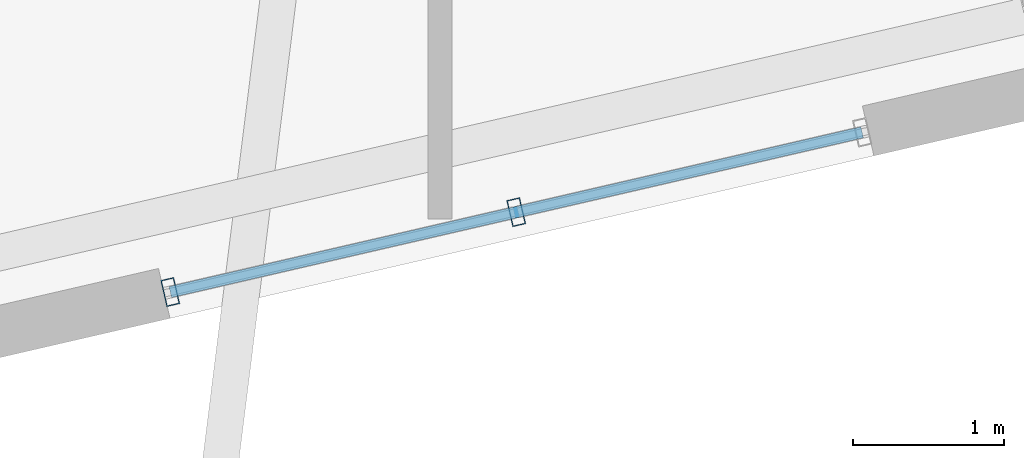
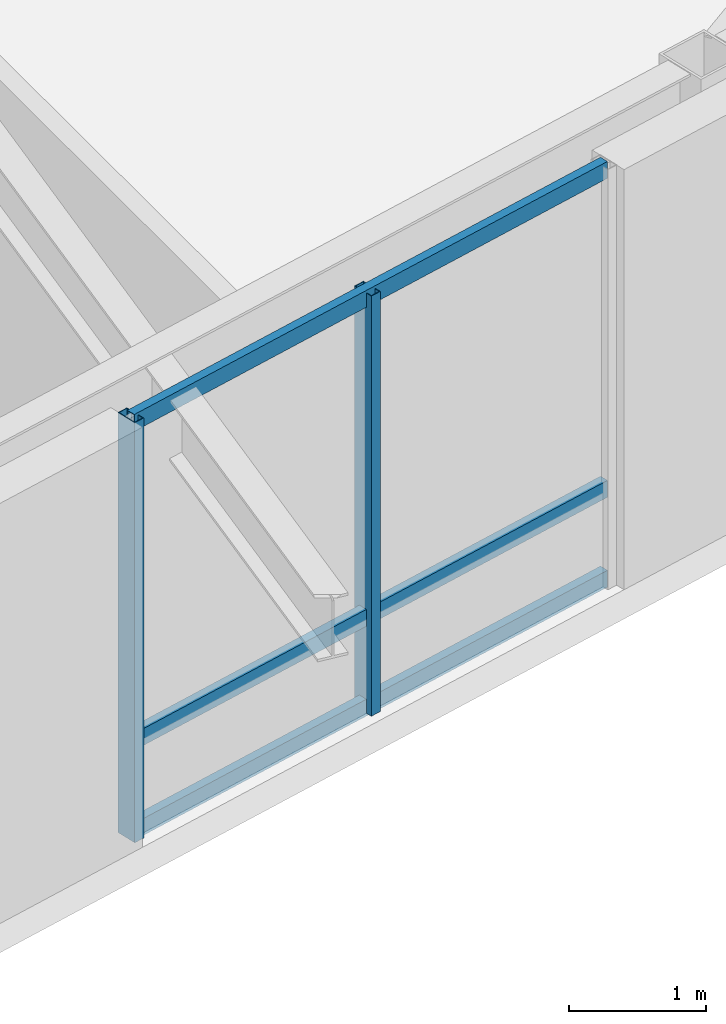
# One storey, part 6 of 21: 5 members, 1 element without a shape of its own.
"""IFC4 building model written with IfcOpenShell, lengths in metres."""

from ifc_helpers import new_model, si_unit, direction, frame, origin, origin_2d, place, context, subcontext, project, spatial, hollow_rectangle, extrude, material, layer, layer_set, material_profile, profile_set, type_object, element, aggregate, save


model = new_model("IFC4")

# Units and contexts
model_context = context("Model", 3, precision=1e-05, world=origin(), true_north=direction((0.0, 1.0)))
body_context = subcontext(model_context, "Body", "Model", "MODEL_VIEW")
ifc_project = project(units=[si_unit("LENGTHUNIT", "METRE"), si_unit("AREAUNIT", "SQUARE_METRE"), si_unit("VOLUMEUNIT", "CUBIC_METRE"), si_unit("PLANEANGLEUNIT", "RADIAN"), si_unit("MASSUNIT", "GRAM", prefix="KILO")], contexts=[model_context])

# Site, building, storey
site_placement = place(None, origin())
site = spatial("IfcSite", under=ifc_project, at=site_placement, CompositionType="ELEMENT")
building_placement = place(site_placement, origin())
building = spatial("IfcBuilding", under=site, at=building_placement, Name="Tavrogorsk Clinical Tower", CompositionType="ELEMENT")
storey_placement = place(building_placement, frame((0.0, 0.0, 285.0)))
storey = spatial("IfcBuildingStorey", under=building, at=storey_placement, Name="L66", CompositionType="ELEMENT", Elevation=285.0)

# Curtain wall, members
ifc_material_1 = material(Name="Anodised aluminium and triple IGU glazing", Category="aluminium")
ifc_layer = layer(ifc_material_1, 0.179931640625)
ifc_layer_set = layer_set([ifc_layer], Name="Anodised aluminium and triple IGU glazing")
curtain_wall_type = type_object("IfcCurtainWallType", Name="CW3_SouthSlot", PredefinedType="NOTDEFINED", material=ifc_layer_set)
curtain_wall_placement = place(storey_placement, origin())
curtain_wall = element("IfcCurtainWall", 1, at=curtain_wall_placement, inside=storey, type_object=curtain_wall_type, Name="L66 Curtain Wall CW-L66-S-SLOT-2", PredefinedType="NOTDEFINED")
ifc_material_2 = material(Name="Anodised aluminium alloy AW-6060", Category="aluminium")
ifc_material_profile_1 = material_profile(ifc_material_2, hollow_rectangle(XDim=0.090087890625, YDim=0.179931640625, WallThickness=0.00634765625, at=origin_2d()), Name="RHS-180x90x6.3")
ifc_profile_set_1 = profile_set([ifc_material_profile_1], Name="Anodised aluminium alloy AW-6060")
member_type_1 = type_object("IfcMemberType", Name="CwMullion_180x90", PredefinedType="MULLION", material=ifc_profile_set_1)
member_1_placement = place(storey_placement, frame((7.80810546875, -22.56591796875, 0.0), z_axis=(0.0, 0.0, 1.0), x_axis=(0.974370057377, 0.224951086434, 0.0)))
member_1 = element("IfcMember", 2, at=member_1_placement, type_object=member_type_1, Name="CW-L66-S-SLOT-2 Mullion 1", PredefinedType="MULLION", context=body_context, shape_type="SweptSolid", body=[
    extrude(hollow_rectangle(XDim=0.090087890625, YDim=0.179931640625, WallThickness=0.00634765625, at=origin_2d()), origin(), (0.0, 0.0, 1.0), 3.739990234375),
])
member_2_placement = place(storey_placement, frame((10.106689453125, -22.03515625, 0.0), z_axis=(0.0, 0.0, 1.0), x_axis=(0.974370057377, 0.224951086434, 0.0)))
member_2 = element("IfcMember", 3, at=member_2_placement, type_object=member_type_1, Name="CW-L66-S-SLOT-2 Mullion 2", PredefinedType="MULLION", context=body_context, shape_type="SweptSolid", body=[
    extrude(hollow_rectangle(XDim=0.090087890625, YDim=0.179931640625, WallThickness=0.00634765625, at=origin_2d()), origin(), (0.0, 0.0, 1.0), 3.739990234375),
])
ifc_material_3 = material(Name="Anodised aluminium alloy AW-6060", Category="aluminium")
ifc_material_profile_2 = material_profile(ifc_material_3, hollow_rectangle(XDim=0.074951171875, YDim=0.14990234375, WallThickness=0.0048828125, at=origin_2d()), Name="RHS-150x75x5")
ifc_profile_set_2 = profile_set([ifc_material_profile_2], Name="Anodised aluminium alloy AW-6060")
member_type_2 = type_object("IfcMemberType", Name="CwTransom_150x75", PredefinedType="USERDEFINED", material=ifc_profile_set_2)
member_3_placement = place(storey_placement, frame((7.80810546875, -22.56591796875, 0.050048828125), z_axis=(0.974372877948, 0.22493886885, 0.0), x_axis=(-0.22493886885, 0.974372877948, 0.0)))
member_3 = element("IfcMember", 4, at=member_3_placement, type_object=member_type_2, Name="CW-L66-S-SLOT-2 Transom 1", ObjectType="TRANSOM", PredefinedType="USERDEFINED", context=body_context, shape_type="SweptSolid", body=[
    extrude(hollow_rectangle(XDim=0.074951171875, YDim=0.14990234375, WallThickness=0.0048828125, at=origin_2d()), origin(), (0.0, 0.0, 1.0), 4.718017578125),
])
member_4_placement = place(storey_placement, frame((7.80810546875, -22.56591796875, 0.85009765625), z_axis=(0.974372877948, 0.22493886885, 0.0), x_axis=(-0.22493886885, 0.974372877948, 0.0)))
member_4 = element("IfcMember", 5, at=member_4_placement, type_object=member_type_2, Name="CW-L66-S-SLOT-2 Transom 2", ObjectType="TRANSOM", PredefinedType="USERDEFINED", context=body_context, shape_type="SweptSolid", body=[
    extrude(hollow_rectangle(XDim=0.074951171875, YDim=0.14990234375, WallThickness=0.0048828125, at=origin_2d()), origin(), (0.0, 0.0, 1.0), 4.718017578125),
])
member_5_placement = place(storey_placement, frame((7.80810546875, -22.56591796875, 3.68994140625), z_axis=(0.974372877948, 0.22493886885, 0.0), x_axis=(-0.22493886885, 0.974372877948, 0.0)))
member_5 = element("IfcMember", 6, at=member_5_placement, type_object=member_type_2, Name="CW-L66-S-SLOT-2 Transom 3", ObjectType="TRANSOM", PredefinedType="USERDEFINED", context=body_context, shape_type="SweptSolid", body=[
    extrude(hollow_rectangle(XDim=0.074951171875, YDim=0.14990234375, WallThickness=0.0048828125, at=origin_2d()), origin(), (0.0, 0.0, 1.0), 4.718017578125),
])
aggregate(curtain_wall, [member_1, member_2, member_3, member_4, member_5])

save(model, "model.ifc")
